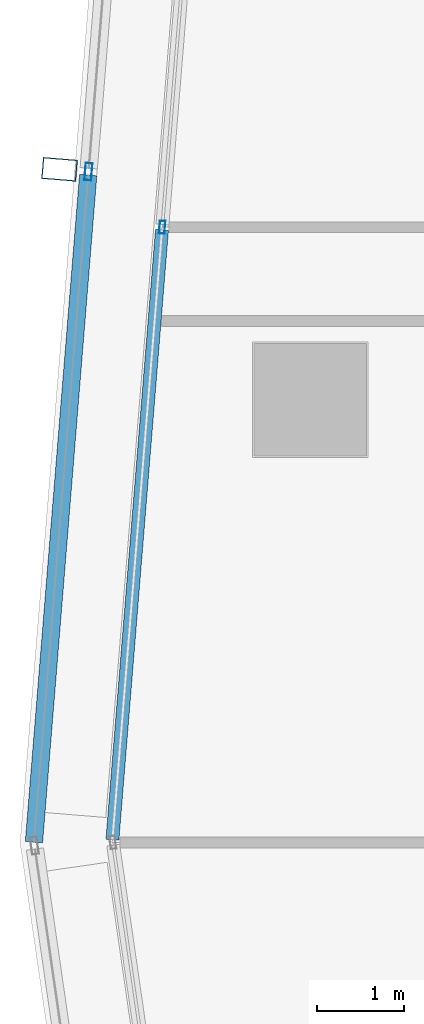
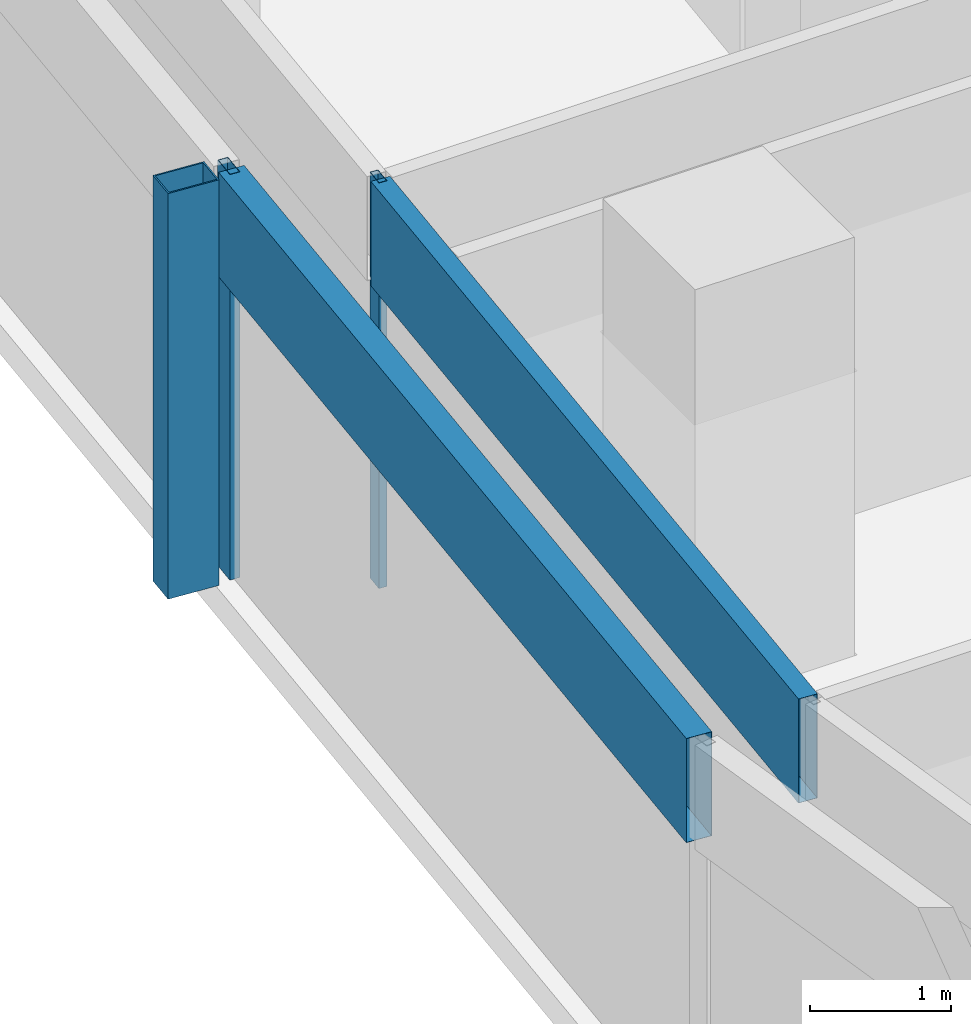
# One storey, part 7 of 29: 5 members, 2 elements without a shape of their own.
"""IFC4 building model written with IfcOpenShell, lengths in metres."""

from ifc_helpers import new_model, si_unit, direction, frame, origin, origin_2d, place, context, subcontext, project, spatial, hollow_rectangle, extrude, material, material_profile, profile_set, type_object, element, aggregate, save


model = new_model("IFC4")

# Units and contexts
model_context = context("Model", 3, precision=1e-05, world=origin(), true_north=direction((0.0, 1.0)))
body_context = subcontext(model_context, "Body", "Model", "MODEL_VIEW")
ifc_project = project(units=[si_unit("LENGTHUNIT", "METRE"), si_unit("AREAUNIT", "SQUARE_METRE"), si_unit("VOLUMEUNIT", "CUBIC_METRE"), si_unit("PLANEANGLEUNIT", "RADIAN"), si_unit("MASSUNIT", "GRAM", prefix="KILO")], contexts=[model_context])

# Site, building, storey
site_placement = place(None, origin())
site = spatial("IfcSite", under=ifc_project, at=site_placement, CompositionType="ELEMENT")
building_placement = place(site_placement, origin())
building = spatial("IfcBuilding", under=site, at=building_placement, Name="Rekha Terrace Tower", CompositionType="ELEMENT")
storey_placement = place(building_placement, frame((0.0, 0.0, 261.35009765625)))
storey = spatial("IfcBuildingStorey", under=building, at=storey_placement, Name="L66", CompositionType="ELEMENT", Elevation=261.35009765625)

# Curtain wall, member
ifc_material_1 = material(Name="Aluminium framing", Category="aluminium")
curtain_wall_type_1 = type_object("IfcCurtainWallType", Name="CW2 double skin outer glazing", PredefinedType="USERDEFINED", material=ifc_material_1)
curtain_wall_1_placement = place(storey_placement, origin())
curtain_wall_1 = element("IfcCurtainWall", 1, at=curtain_wall_1_placement, inside=storey, type_object=curtain_wall_type_1, Name="CW2 double skin outer glazing", ObjectType="DOUBLE SKIN OUTER GLAZING", PredefinedType="USERDEFINED")
ifc_material_2 = material(Name="Steel S355 with fluorocarbon finish", Category="steel")
ifc_material_profile_1 = material_profile(ifc_material_2, hollow_rectangle(XDim=0.25, YDim=0.39990234375, WallThickness=0.012451171875, at=origin_2d()), Name="RHS400x250x12.5")
ifc_profile_set_1 = profile_set([ifc_material_profile_1], Name="Steel S355 with fluorocarbon finish")
member_type_1 = type_object("IfcMemberType", Name="BL1 facade blade RHS 400 x 250", PredefinedType="USERDEFINED", material=ifc_profile_set_1)
member_1_placement = place(storey_placement, frame((5.506103515625, 36.257568359375, 0.0), z_axis=(0.0, 0.0, 1.0), x_axis=(-0.081068747348, -0.996708512156, 0.0)))
member_1 = element("IfcMember", 2, at=member_1_placement, type_object=member_type_1, Name="Facade blade", ObjectType="FACADE BLADE", PredefinedType="USERDEFINED", context=body_context, shape_type="SweptSolid", body=[
    extrude(hollow_rectangle(XDim=0.25, YDim=0.39990234375, WallThickness=0.012451171875, at=origin_2d()), origin(), (0.0, 0.0, 1.0), 3.5),
])

# Curtain wall, members
curtain_wall_type_2 = type_object("IfcCurtainWallType", Name="CW1 double skin inner glazing", PredefinedType="USERDEFINED", material=ifc_material_1)
curtain_wall_2_placement = place(storey_placement, origin())
curtain_wall_2 = element("IfcCurtainWall", 3, at=curtain_wall_2_placement, inside=storey, type_object=curtain_wall_type_2, Name="CW1 double skin inner glazing", ObjectType="DOUBLE SKIN INNER GLAZING", PredefinedType="USERDEFINED")
ifc_material_3 = material(Name="Aluminium mullion section", Category="aluminium")
ifc_material_profile_2 = material_profile(ifc_material_3, hollow_rectangle(XDim=0.06494140625, YDim=0.14990234375, WallThickness=0.00390625, at=origin_2d()), Name="AL RHS 65x150")
ifc_profile_set_2 = profile_set([ifc_material_profile_2], Name="Aluminium mullion section")
member_type_2 = type_object("IfcMemberType", Name="CW1 mullion RHS 65 x 150", PredefinedType="MULLION", material=ifc_profile_set_2)
member_2_placement = place(storey_placement, frame((6.69091796875, 35.58984375, 0.0), z_axis=(0.0, 0.0, 1.0), x_axis=(0.996708580524, -0.081067906781, 0.0)))
member_2 = element("IfcMember", 4, at=member_2_placement, type_object=member_type_2, Name="CW1 mullion 3", PredefinedType="MULLION", context=body_context, shape_type="SweptSolid", body=[
    extrude(hollow_rectangle(XDim=0.06494140625, YDim=0.14990234375, WallThickness=0.00390625, at=origin_2d()), origin(), (0.0, 0.0, 1.0), 3.5),
])
ifc_material_4 = material(Name="Insulated aluminium spandrel box", Category="aluminium")
ifc_material_profile_3 = material_profile(ifc_material_4, hollow_rectangle(XDim=0.14990234375, YDim=0.89990234375, WallThickness=0.0029296875, at=origin_2d()), Name="AL SPANDREL BOX 150x900")
ifc_profile_set_3 = profile_set([ifc_material_profile_3], Name="Insulated aluminium spandrel box")
member_type_3 = type_object("IfcMemberType", Name="CW1 spandrel transom 150 x 900", PredefinedType="USERDEFINED", material=ifc_profile_set_3)
member_3_placement = place(storey_placement, frame((6.688232421875, 35.557373046875, 3.0498046875), z_axis=(-0.081052724461, -0.996709815271, 0.0), x_axis=(0.996709815271, -0.081052724461, 0.0)))
member_3 = element("IfcMember", 5, at=member_3_placement, type_object=member_type_3, Name="CW1 spandrel transom 3", ObjectType="TRANSOM", PredefinedType="USERDEFINED", context=body_context, shape_type="SweptSolid", body=[
    extrude(hollow_rectangle(XDim=0.14990234375, YDim=0.89990234375, WallThickness=0.0029296875, at=origin_2d()), origin(), (0.0, 0.0, 1.0), 7.057373046875),
])
aggregate(curtain_wall_2, [member_2, member_3])

# Member
ifc_material_profile_4 = material_profile(ifc_material_3, hollow_rectangle(XDim=0.080078125, YDim=0.199951171875, WallThickness=0.00390625, at=origin_2d()), Name="AL RHS 80x200")
ifc_profile_set_4 = profile_set([ifc_material_profile_4], Name="Aluminium mullion section")
member_type_4 = type_object("IfcMemberType", Name="CW2 mullion RHS 80 x 200", PredefinedType="MULLION", material=ifc_profile_set_4)
member_4_placement = place(storey_placement, frame((5.840087890625, 36.23046875, 0.0), z_axis=(0.0, 0.0, 1.0), x_axis=(0.996708580521, -0.081067906816, 0.0)))
member_4 = element("IfcMember", 6, at=member_4_placement, type_object=member_type_4, Name="CW2 mullion 3", PredefinedType="MULLION", context=body_context, shape_type="SweptSolid", body=[
    extrude(hollow_rectangle(XDim=0.080078125, YDim=0.199951171875, WallThickness=0.00390625, at=origin_2d()), origin(), (0.0, 0.0, 1.0), 3.5),
])

ifc_material_profile_5 = material_profile(ifc_material_4, hollow_rectangle(XDim=0.199951171875, YDim=0.89990234375, WallThickness=0.0029296875, at=origin_2d()), Name="AL SPANDREL BOX 200x900")
ifc_profile_set_5 = profile_set([ifc_material_profile_5], Name="Insulated aluminium spandrel box")
member_type_5 = type_object("IfcMemberType", Name="CW2 spandrel transom 200 x 900", PredefinedType="USERDEFINED", material=ifc_profile_set_5)
member_5_placement = place(storey_placement, frame((5.8369140625, 36.190673828125, 3.0498046875), z_axis=(-0.08107481866, -0.996708018318, 0.0), x_axis=(0.996708018318, -0.08107481866, 0.0)))
member_5 = element("IfcMember", 7, at=member_5_placement, type_object=member_type_5, Name="CW2 spandrel transom 3", ObjectType="TRANSOM", PredefinedType="USERDEFINED", context=body_context, shape_type="SweptSolid", body=[
    extrude(hollow_rectangle(XDim=0.199951171875, YDim=0.89990234375, WallThickness=0.0029296875, at=origin_2d()), origin(), (0.0, 0.0, 1.0), 7.720947265625),
])

aggregate(curtain_wall_1, [member_4, member_5, member_1])

save(model, "model.ifc")
